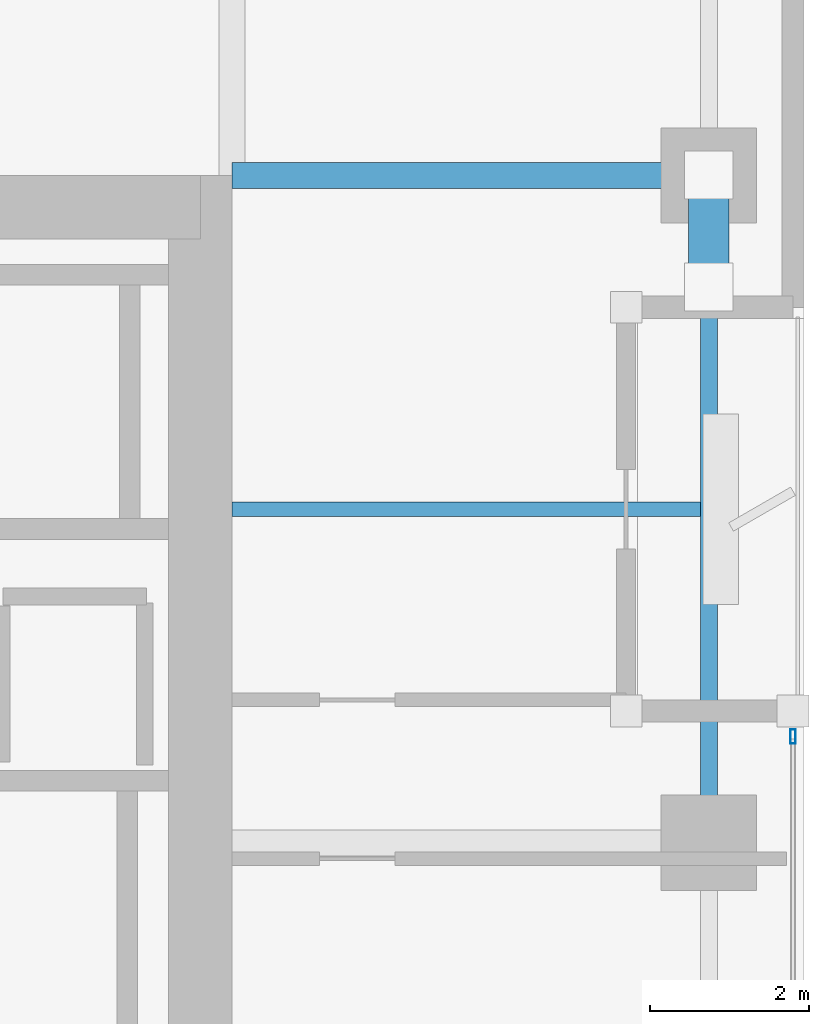
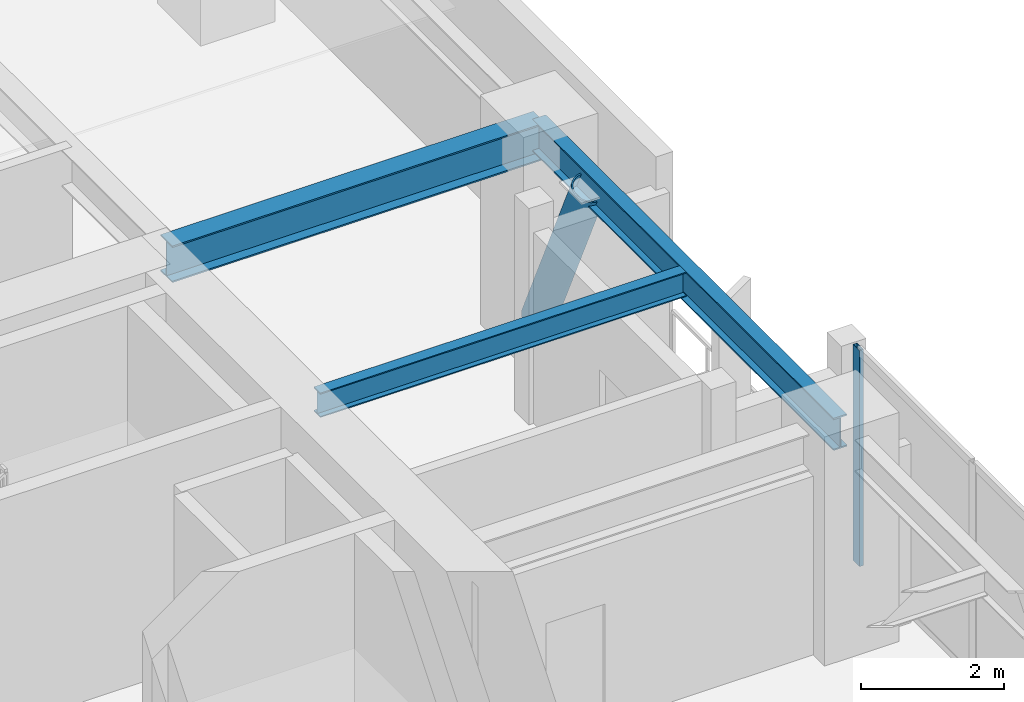
# One storey, part 11 of 30: 3 beams, 2 members, 1 element without a shape of its own.
"""IFC4 building model written with IfcOpenShell, lengths in metres."""

import ifcopenshell
import ifcopenshell.guid

model = None  # the IFC model being written
_history = None  # IfcOwnerHistory: only IFC2X3 demands one
_inside = {}  # id of a spatial element -> (the spatial element, [elements in it])
_under = {}  # id of a project, library or spatial element -> (it, [spatial elements below it])
_declared = {}  # id of a project -> (the project, [libraries it declares])
_typed = {}  # id of a type object -> (the type object, [elements of that type])
_made_of = {}  # id of a material, layer set ... -> (it, [elements and type objects made of it])


def new_model(schema):
    """Start an empty IFC model of exactly this schema.

    Asked for "IFC4X3", IfcOpenShell would pick the latest addendum, in which some entities
    have other attributes; the version numbers below select the first issue.
    IFC2X3 requires an IfcOwnerHistory on every rooted entity: one is made here for all.
    """
    global model, _history
    if schema == "IFC4X3":
        model = ifcopenshell.file(schema_version=(4, 3, 0, 0))
    else:
        model = ifcopenshell.file(schema=schema)
    _inside.clear()
    _under.clear()
    _declared.clear()
    _typed.clear()
    _made_of.clear()
    _history = None
    if model.schema == "IFC2X3":
        org = make("IfcOrganization", Name="unknown")
        user = make(
            "IfcPersonAndOrganization",
            ThePerson=make("IfcPerson", FamilyName="unknown"),
            TheOrganization=org,
        )
        app = make(
            "IfcApplication",
            ApplicationDeveloper=org,
            Version="unknown",
            ApplicationFullName="unknown",
            ApplicationIdentifier="unknown",
        )
        _history = make(
            "IfcOwnerHistory",
            OwningUser=user,
            OwningApplication=app,
            ChangeAction="ADDED",
            CreationDate=0,
        )
    return model


def make(cls, **values):
    """One entity of the class cls with the attributes given. An attribute that is None is left unset."""
    return model.create_entity(
        cls, **{name: value for name, value in values.items() if value is not None}
    )


def rooted(cls, **values):
    """An entity with a GlobalId (a new one), such as an element, a storey or a relation."""
    return make(cls, GlobalId=ifcopenshell.guid.new(), OwnerHistory=_history, **values)


def si_unit(unit_type, name, prefix=None):
    """IfcSIUnit, for example si_unit("LENGTHUNIT", "METRE", prefix="MILLI")."""
    return make("IfcSIUnit", UnitType=unit_type, Prefix=prefix, Name=name)


def assignment(units):
    """IfcUnitAssignment: the units of a project."""
    return None if units is None else make("IfcUnitAssignment", Units=units)


def point(xyz):
    """IfcCartesianPoint."""
    return None if xyz is None else make("IfcCartesianPoint", Coordinates=xyz)


def direction(xyz):
    """IfcDirection."""
    return None if xyz is None else make("IfcDirection", DirectionRatios=xyz)


def frame(location, z_axis=None, x_axis=None):
    """IfcAxis2Placement3D, a coordinate frame: its origin and axes. An axis left out is left unset."""
    return make(
        "IfcAxis2Placement3D",
        Location=point(location),
        Axis=direction(z_axis),
        RefDirection=direction(x_axis),
    )


def frame_2d(location, x_axis=None):
    """IfcAxis2Placement2D, a coordinate frame in the plane: its origin and x axis."""
    return make(
        "IfcAxis2Placement2D", Location=point(location), RefDirection=direction(x_axis)
    )


def origin():
    """The frame at (0, 0, 0) with its axes left unset."""
    return frame((0.0, 0.0, 0.0))


def origin_2d():
    """The frame at (0, 0) in the plane with its x axis left unset."""
    return frame_2d((0.0, 0.0))


def place(relative_to, where):
    """IfcLocalPlacement: puts the frame where relative to a parent placement (None: the world)."""
    return make(
        "IfcLocalPlacement", PlacementRelTo=relative_to, RelativePlacement=where
    )


def context(
    kind, dimensions, precision=None, world=None, true_north=None, identifier=None
):
    """IfcGeometricRepresentationContext, for example the 3D "Model" context."""
    return make(
        "IfcGeometricRepresentationContext",
        ContextIdentifier=identifier,
        ContextType=kind,
        CoordinateSpaceDimension=dimensions,
        Precision=precision,
        WorldCoordinateSystem=world,
        TrueNorth=true_north,
    )


def subcontext(parent, identifier, kind, view, scale=None):
    """IfcGeometricRepresentationSubContext, for example "Body" below "Model"."""
    return make(
        "IfcGeometricRepresentationSubContext",
        ContextIdentifier=identifier,
        ContextType=kind,
        ParentContext=parent,
        TargetScale=scale,
        TargetView=view,
    )


def project(units=None, contexts=None):
    """IfcProject with its units and contexts."""
    return rooted(
        "IfcProject",
        Name="project",
        RepresentationContexts=contexts,
        UnitsInContext=assignment(units),
    )


def spatial(cls, under=None, at=None, **own):
    """A site, building, storey or space (cls), placed at a placement, below another one or the project."""
    s = rooted(cls, ObjectPlacement=at, **own)
    if under is not None:
        _under.setdefault(under.id(), (under, []))[1].append(s)
    return s


def profile(cls, at=None, kind="AREA", **sizes):
    """A parametric profile (cls). Its sizes go by their IFC names, for example OverallWidth=200.0."""
    return make(cls, ProfileType=kind, Position=at, **sizes)


def hollow_rectangle(**sizes):
    """IfcRectangleHollowProfileDef."""
    return profile("IfcRectangleHollowProfileDef", **sizes)


def hollow_circle(**sizes):
    """IfcCircleHollowProfileDef."""
    return profile("IfcCircleHollowProfileDef", **sizes)


def i_section(**sizes):
    """IfcIShapeProfileDef."""
    return profile("IfcIShapeProfileDef", **sizes)


def extrude(swept, where, along, depth):
    """IfcExtrudedAreaSolid: the profile swept, set in the frame where, extruded along a direction by depth."""
    return make(
        "IfcExtrudedAreaSolid",
        SweptArea=swept,
        Position=where,
        ExtrudedDirection=direction(along),
        Depth=depth,
    )


def shape(context_of_items, identifier, shape_type, items):
    """IfcShapeRepresentation: the items that make up one representation, for example the "Body"."""
    return make(
        "IfcShapeRepresentation",
        ContextOfItems=context_of_items,
        RepresentationIdentifier=identifier,
        RepresentationType=shape_type,
        Items=items,
    )


def material(Name=None, Category=None):
    """IfcMaterial."""
    return make("IfcMaterial", Name=Name, Category=Category)


def layer(
    of_material, thickness, ventilated=None, Name=None, Category=None, Priority=None
):
    """IfcMaterialLayer: one layer of a wall or slab, of a material (None: an air gap)."""
    return make(
        "IfcMaterialLayer",
        Material=of_material,
        LayerThickness=thickness,
        IsVentilated=ventilated,
        Name=Name,
        Category=Category,
        Priority=Priority,
    )


def layer_set(layers, Name=None):
    """IfcMaterialLayerSet."""
    return make("IfcMaterialLayerSet", MaterialLayers=layers, LayerSetName=Name)


def material_profile(
    of_material, cross_section, Name=None, Category=None, Priority=None
):
    """IfcMaterialProfile: a cross section and its material."""
    return make(
        "IfcMaterialProfile",
        Name=Name,
        Material=of_material,
        Profile=cross_section,
        Priority=Priority,
        Category=Category,
    )


def profile_set(profiles, Name=None, composite=None):
    """IfcMaterialProfileSet."""
    return make(
        "IfcMaterialProfileSet",
        Name=Name,
        MaterialProfiles=profiles,
        CompositeProfile=composite,
    )


def made_of(thing, what):
    """Note that an element or type object is made of a material, layer set ...; save() writes the relation."""
    if what is not None:
        _made_of.setdefault(what.id(), (what, []))[1].append(thing)
    return thing


def type_object(cls, material=None, **own):
    """A type object (cls), such as IfcWallType, which elements share."""
    return made_of(rooted(cls, **own), material)


def element(
    cls,
    number,
    at=None,
    inside=None,
    cuts=None,
    type_object=None,
    material=None,
    context=None,
    identifier="Body",
    shape_type=None,
    held_by="IfcProductDefinitionShape",
    body=None,
    shapes=None,
    **own,
):
    """One element of the class cls, such as IfcWall. Its Tag is "e" and its number.

    at: its placement. inside: the storey or other place that contains it. cuts: it is an
    opening in that element (IfcRelVoidsElement). A single representation is given by context,
    identifier, shape_type and body (its items); several are given by shapes. held_by: the class
    of the entity that holds the representations. save() writes the other relations.
    """
    e = rooted(cls, Tag="e%d" % number, ObjectPlacement=at, **own)
    if body is not None:
        shapes = [shape(context, identifier, shape_type, body)]
    if shapes is not None:
        e.Representation = make(held_by, Representations=shapes)
    if inside is not None:
        _inside.setdefault(inside.id(), (inside, []))[1].append(e)
    if cuts is not None:
        rooted(
            "IfcRelVoidsElement", RelatingBuildingElement=cuts, RelatedOpeningElement=e
        )
    if type_object is not None:
        _typed.setdefault(type_object.id(), (type_object, []))[1].append(e)
    return made_of(e, material)


def aggregate(whole, parts):
    """IfcRelAggregates: a whole, such as a stair, and the parts it consists of."""
    return rooted("IfcRelAggregates", RelatingObject=whole, RelatedObjects=parts)


def save(model, path):
    """Write the relations noted so far, then the file.

    IfcRelAggregates (storeys below a building ...), IfcRelContainedInSpatialStructure (elements
    in a storey), IfcRelDefinesByType, IfcRelAssociatesMaterial and IfcRelDeclares: one each for
    every whole, place, type object, material and project.
    """
    for whole, parts in _under.values():
        aggregate(whole, parts)
    for where, things in _inside.values():
        rooted(
            "IfcRelContainedInSpatialStructure",
            RelatedElements=things,
            RelatingStructure=where,
        )
    for kind, things in _typed.values():
        rooted("IfcRelDefinesByType", RelatedObjects=things, RelatingType=kind)
    for what, things in _made_of.values():
        rooted("IfcRelAssociatesMaterial", RelatedObjects=things, RelatingMaterial=what)
    for by, libraries in _declared.values():
        rooted("IfcRelDeclares", RelatingContext=by, RelatedDefinitions=libraries)
    model.write(path)


model = new_model("IFC4")

# Units and contexts
model_context = context("Model", 3, precision=1e-05, world=origin(), true_north=direction((0.0, 1.0)))
body_context = subcontext(model_context, "Body", "Model", "MODEL_VIEW")
ifc_project = project(units=[si_unit("LENGTHUNIT", "METRE"), si_unit("AREAUNIT", "SQUARE_METRE"), si_unit("VOLUMEUNIT", "CUBIC_METRE"), si_unit("PLANEANGLEUNIT", "RADIAN"), si_unit("MASSUNIT", "GRAM", prefix="KILO")], contexts=[model_context])

# Site, building, storey
site_placement = place(None, origin())
site = spatial("IfcSite", under=ifc_project, at=site_placement, CompositionType="ELEMENT")
building_placement = place(site_placement, origin())
building = spatial("IfcBuilding", under=site, at=building_placement, Name="Kiyonajd Concourse Tower", CompositionType="ELEMENT")
storey_placement = place(building_placement, frame((0.0, 0.0, 170.10009765625)))
storey = spatial("IfcBuildingStorey", under=building, at=storey_placement, Name="L43", CompositionType="ELEMENT", Elevation=170.10009765625)

# Beams
ifc_material_1 = material(Name="Steel ASTM A992 Grade 50", Category="steel")
ifc_material_profile_1 = material_profile(ifc_material_1, i_section(OverallWidth=0.180908203125, OverallDepth=0.4169921875, WebThickness=0.010986328125, FlangeThickness=0.018310546875, at=origin_2d()), Name="W410X85")
ifc_profile_set_1 = profile_set([ifc_material_profile_1], Name="Steel ASTM A992 Grade 50")
beam_type_1 = type_object("IfcBeamType", Name="BM-JST-410", PredefinedType="JOIST", material=ifc_profile_set_1)
beam_1_placement = place(storey_placement, frame((63.60009765625, 40.199951171875, 3.471435546875), z_axis=(1.0, 0.0, 0.0), x_axis=(0.0, 1.0, 0.0)))
element("IfcBeam", 1, at=beam_1_placement, inside=storey, type_object=beam_type_1, Name="L43 East Secondary Floor Joist", PredefinedType="JOIST", context=body_context, shape_type="SweptSolid", body=[
    extrude(i_section(OverallWidth=0.180908203125, OverallDepth=0.4169921875, WebThickness=0.010986328125, FlangeThickness=0.018310546875, at=origin_2d()), origin(), (0.0, 0.0, 1.0), 5.892822265625),
])
ifc_material_profile_2 = material_profile(ifc_material_1, i_section(OverallWidth=0.214111328125, OverallDepth=0.549072265625, WebThickness=0.0146484375, FlangeThickness=0.023681640625, at=origin_2d()), Name="W530X138")
ifc_profile_set_2 = profile_set([ifc_material_profile_2], Name="Steel ASTM A992 Grade 50")
beam_type_2 = type_object("IfcBeamType", Name="BM-SPAN-530A", PredefinedType="SPANDREL", material=ifc_profile_set_2)
beam_2_placement = place(storey_placement, frame((69.60009765625, 36.0, 3.405517578125), z_axis=(0.0, 1.0, 0.0), x_axis=(-1.0, 0.0, 0.0)))
element("IfcBeam", 2, at=beam_2_placement, inside=storey, type_object=beam_type_2, Name="L43 Perimeter Bundled Tube Spandrel", PredefinedType="SPANDREL", context=body_context, shape_type="SweptSolid", body=[
    extrude(i_section(OverallWidth=0.214111328125, OverallDepth=0.549072265625, WebThickness=0.0146484375, FlangeThickness=0.023681640625, at=origin_2d()), origin(), (0.0, 0.0, 1.0), 8.39990234375),
])
ifc_material_profile_3 = material_profile(ifc_material_1, i_section(OverallWidth=0.326904296875, OverallDepth=0.6220703125, WebThickness=0.015380859375, FlangeThickness=0.0244140625, at=origin_2d()), Name="W610X195")
ifc_profile_set_3 = profile_set([ifc_material_profile_3], Name="Steel ASTM A992 Grade 50")
beam_type_3 = type_object("IfcBeamType", Name="BM-TWR-610A", PredefinedType="BEAM", material=ifc_profile_set_3)
beam_3_placement = place(storey_placement, frame((63.60009765625, 44.39990234375, 3.368896484375), z_axis=(1.0, 0.0, 0.0), x_axis=(0.0, 1.0, 0.0)))
element("IfcBeam", 3, at=beam_3_placement, inside=storey, type_object=beam_type_3, Name="L43 East Lease Girder", PredefinedType="BEAM", context=body_context, shape_type="SweptSolid", body=[
    extrude(i_section(OverallWidth=0.326904296875, OverallDepth=0.6220703125, WebThickness=0.015380859375, FlangeThickness=0.0244140625, at=origin_2d()), origin(), (0.0, 0.0, 1.0), 6.0),
])

# Curtain wall, member
ifc_material_2 = material(Name="Thermally Broken Anodised Aluminium", Category="aluminium")
ifc_layer = layer(ifc_material_2, 0.179931640625)
ifc_layer_set = layer_set([ifc_layer], Name="Thermally Broken Anodised Aluminium")
curtain_wall_type = type_object("IfcCurtainWallType", Name="CW-SYS-03", PredefinedType="NOTDEFINED", material=ifc_layer_set)
curtain_wall_placement = place(storey_placement, origin())
curtain_wall = element("IfcCurtainWall", 4, at=curtain_wall_placement, inside=storey, type_object=curtain_wall_type, Name="L43 Unitised Curtain Wall CW3", PredefinedType="NOTDEFINED")
ifc_material_profile_4 = material_profile(ifc_material_2, hollow_rectangle(XDim=0.06494140625, YDim=0.179931640625, WallThickness=0.00390625, at=origin_2d()), Name="MULL-65x180")
ifc_profile_set_4 = profile_set([ifc_material_profile_4], Name="Thermally Broken Anodised Aluminium")
member_type_1 = type_object("IfcMemberType", Name="MB-CW-MULL1", PredefinedType="MULLION", material=ifc_profile_set_4)
member_1_placement = place(storey_placement, frame((70.659912109375, 37.33740234375, 0.0), z_axis=(0.0, 0.0, 1.0), x_axis=(1.0, 0.0, 0.0)))
member_1 = element("IfcMember", 5, at=member_1_placement, type_object=member_type_1, Name="CW3 mullion 1", PredefinedType="MULLION", context=body_context, shape_type="SweptSolid", body=[
    extrude(hollow_rectangle(XDim=0.06494140625, YDim=0.179931640625, WallThickness=0.00390625, at=origin_2d()), origin(), (0.0, 0.0, 1.0), 3.679931640625),
])
aggregate(curtain_wall, [member_1])

# Member
ifc_material_3 = material(Name="Steel ASTM A500 Grade C", Category="steel")
ifc_material_profile_5 = material_profile(ifc_material_3, hollow_circle(Radius=0.25390625, WallThickness=0.02197265625, at=origin_2d()), Name="CHS-508x22")
ifc_profile_set_5 = profile_set([ifc_material_profile_5], Name="Steel ASTM A500 Grade C")
member_type_2 = type_object("IfcMemberType", Name="MB-PB-MID", PredefinedType="BRACE", material=ifc_profile_set_5)
member_2_placement = place(storey_placement, frame((69.60009765625, 44.39990234375, 0.2998046875), z_axis=(0.0, -0.419410666774, 0.907796614114), x_axis=(1.0, 0.0, 0.0)))
element("IfcMember", 6, at=member_2_placement, inside=storey, type_object=member_type_2, Name="L43 Upper Zone Hollow Tube Brace PBE", PredefinedType="BRACE", context=body_context, shape_type="SweptSolid", body=[
    extrude(hollow_circle(Radius=0.25390625, WallThickness=0.02197265625, at=origin_2d()), origin(), (0.0, 0.0, 1.0), 3.337890625),
])

save(model, "model.ifc")
